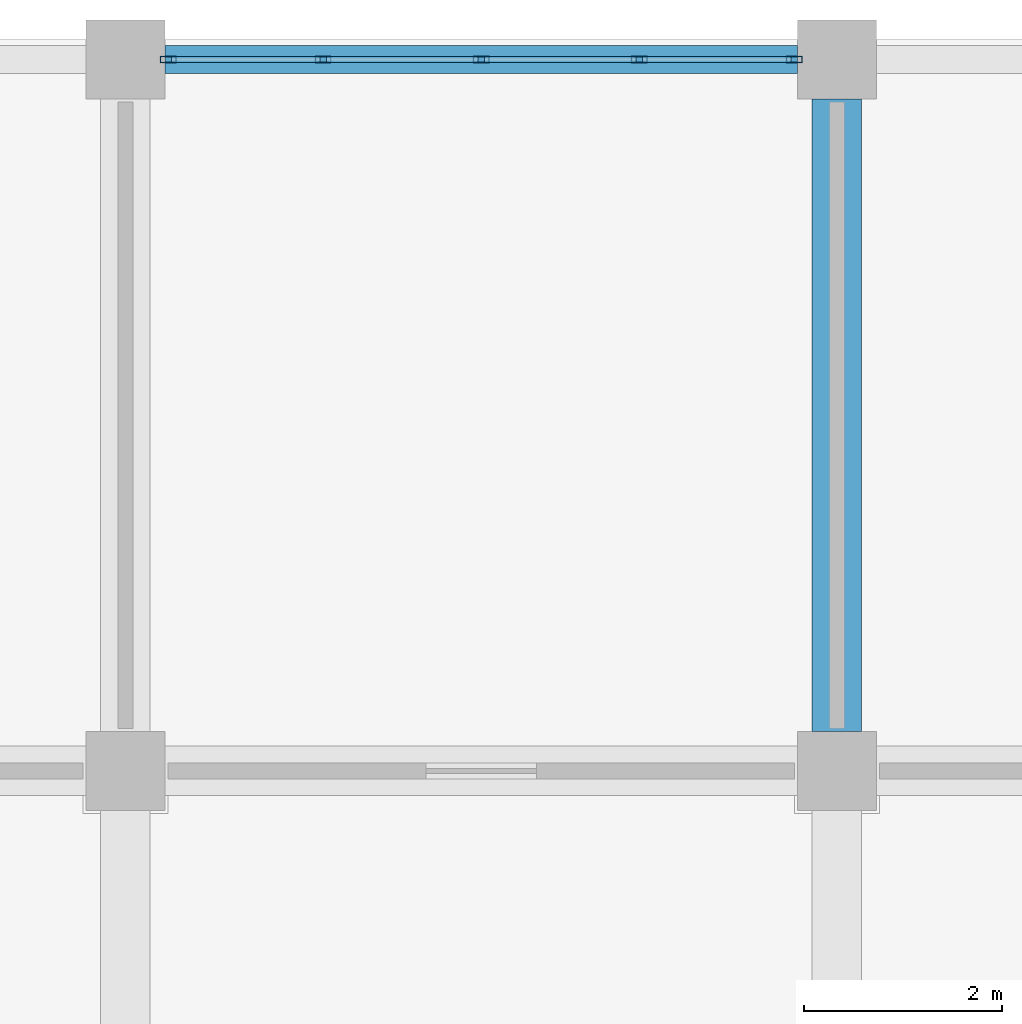
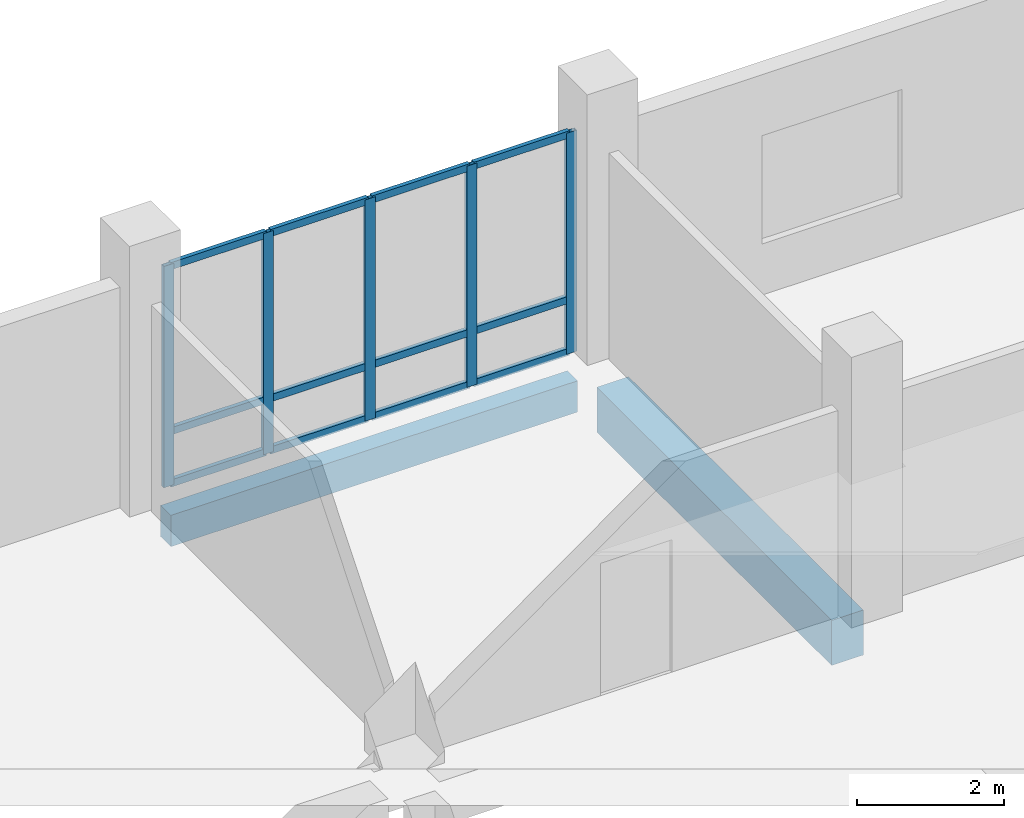
# One storey, part 50 of 139: 17 members, 2 beams, 1 element without a shape of its own.
"""IFC4 building model written with IfcOpenShell, lengths in metres."""

from ifc_helpers import new_model, si_unit, direction, frame, origin, origin_2d, place, context, subcontext, project, spatial, rectangle, hollow_rectangle, extrude, material, material_profile, profile_set, type_object, element, aggregate, save


model = new_model("IFC4")

# Units and contexts
model_context = context("Model", 3, precision=1e-05, world=origin(), true_north=direction((0.0, 1.0)))
body_context = subcontext(model_context, "Body", "Model", "MODEL_VIEW")
ifc_project = project(units=[si_unit("LENGTHUNIT", "METRE"), si_unit("AREAUNIT", "SQUARE_METRE"), si_unit("VOLUMEUNIT", "CUBIC_METRE"), si_unit("PLANEANGLEUNIT", "RADIAN"), si_unit("MASSUNIT", "GRAM", prefix="KILO")], contexts=[model_context])

# Site, building, storey
site_placement = place(None, origin())
site = spatial("IfcSite", under=ifc_project, at=site_placement, CompositionType="ELEMENT")
building_placement = place(site_placement, origin())
building = spatial("IfcBuilding", under=site, at=building_placement, Name="Suanplinth Sawtooth Commons", CompositionType="ELEMENT")
storey_placement = place(building_placement, origin())
storey = spatial("IfcBuildingStorey", under=building, at=storey_placement, Name="L00", CompositionType="ELEMENT", Elevation=0.0)

# Beams
ifc_material_1 = material(Name="Concrete C40/50", Category="concrete")
ifc_material_profile_1 = material_profile(ifc_material_1, rectangle(XDim=0.5, YDim=0.75, at=origin_2d()), Name="RC-GDR 500x750")
ifc_profile_set_1 = profile_set([ifc_material_profile_1], Name="Concrete C40/50")
beam_type_1 = type_object("IfcBeamType", Name="B-03", PredefinedType="USERDEFINED", material=ifc_profile_set_1)
beam_1_placement = place(storey_placement, frame((21.60009765625, 115.60009765625, -0.784912109375), z_axis=(0.0, 1.0, 0.0), x_axis=(-1.0, 0.0, 0.0)))
element("IfcBeam", 1, at=beam_1_placement, inside=storey, type_object=beam_type_1, Name="BMY-L00-A-3-16", ObjectType="GIRDER", PredefinedType="USERDEFINED", context=body_context, shape_type="SweptSolid", body=[
    extrude(rectangle(XDim=0.5, YDim=0.75, at=origin_2d()), origin(), (0.0, 0.0, 1.0), 6.39990234375),
])
ifc_material_2 = material(Name="Precast concrete C40/50", Category="concrete")
ifc_material_profile_2 = material_profile(ifc_material_2, rectangle(XDim=0.280029296875, YDim=0.52001953125, at=origin_2d()), Name="PC-SP 280x520")
ifc_profile_set_2 = profile_set([ifc_material_profile_2], Name="Precast concrete C40/50")
beam_type_2 = type_object("IfcBeamType", Name="B-08", PredefinedType="SPANDREL", material=ifc_profile_set_2)
beam_2_placement = place(storey_placement, frame((14.800048828125, 122.39990234375, -0.669921875), z_axis=(1.0, 0.0, 0.0), x_axis=(0.0, 1.0, 0.0)))
element("IfcBeam", 2, at=beam_2_placement, inside=storey, type_object=beam_type_2, Name="BMX-L00-A-2-17", PredefinedType="SPANDREL", context=body_context, shape_type="SweptSolid", body=[
    extrude(rectangle(XDim=0.280029296875, YDim=0.52001953125, at=origin_2d()), origin(), (0.0, 0.0, 1.0), 6.39990234375),
])

# Curtain wall, members
ifc_material_3 = material(Name="Anodized aluminium and low-E glazing", Category="aluminium")
curtain_wall_type = type_object("IfcCurtainWallType", Name="CW-04", PredefinedType="USERDEFINED", material=ifc_material_3)
curtain_wall_placement = place(storey_placement, origin())
curtain_wall = element("IfcCurtainWall", 3, at=curtain_wall_placement, inside=storey, type_object=curtain_wall_type, Name="Curtain Wall CW-L00-A-N-2", ObjectType="CURTAIN WALL", PredefinedType="USERDEFINED")
ifc_material_4 = material(Name="Anodized aluminium 6063-T6", Category="aluminium")
ifc_material_profile_3 = material_profile(ifc_material_4, hollow_rectangle(XDim=0.06494140625, YDim=0.159912109375, WallThickness=0.00390625, at=origin_2d()), Name="ALU-MUL 65x160")
ifc_profile_set_3 = profile_set([ifc_material_profile_3], Name="Anodized aluminium 6063-T6")
member_type_1 = type_object("IfcMemberType", Name="M-13", PredefinedType="MULLION", material=ifc_profile_set_3)
member_1_placement = place(storey_placement, frame((14.83251953125, 122.39990234375, 0.0), z_axis=(0.0, 0.0, 1.0), x_axis=(0.0, 1.0, 0.0)))
member_1 = element("IfcMember", 4, at=member_1_placement, type_object=member_type_1, Name="CW-04 mullion 1", PredefinedType="MULLION", context=body_context, shape_type="SweptSolid", body=[
    extrude(hollow_rectangle(XDim=0.06494140625, YDim=0.159912109375, WallThickness=0.00390625, at=origin_2d()), origin(), (0.0, 0.0, 1.0), 3.679931640625),
])
member_2_placement = place(storey_placement, frame((16.39990234375, 122.39990234375, 0.0), z_axis=(0.0, 0.0, 1.0), x_axis=(0.0, 1.0, 0.0)))
member_2 = element("IfcMember", 5, at=member_2_placement, type_object=member_type_1, Name="CW-04 mullion 2", PredefinedType="MULLION", context=body_context, shape_type="SweptSolid", body=[
    extrude(hollow_rectangle(XDim=0.06494140625, YDim=0.159912109375, WallThickness=0.00390625, at=origin_2d()), origin(), (0.0, 0.0, 1.0), 3.679931640625),
])
member_3_placement = place(storey_placement, frame((18.0, 122.39990234375, 0.0), z_axis=(0.0, 0.0, 1.0), x_axis=(0.0, 1.0, 0.0)))
member_3 = element("IfcMember", 6, at=member_3_placement, type_object=member_type_1, Name="CW-04 mullion 3", PredefinedType="MULLION", context=body_context, shape_type="SweptSolid", body=[
    extrude(hollow_rectangle(XDim=0.06494140625, YDim=0.159912109375, WallThickness=0.00390625, at=origin_2d()), origin(), (0.0, 0.0, 1.0), 3.679931640625),
])
member_4_placement = place(storey_placement, frame((19.60009765625, 122.39990234375, 0.0), z_axis=(0.0, 0.0, 1.0), x_axis=(0.0, 1.0, 0.0)))
member_4 = element("IfcMember", 7, at=member_4_placement, type_object=member_type_1, Name="CW-04 mullion 4", PredefinedType="MULLION", context=body_context, shape_type="SweptSolid", body=[
    extrude(hollow_rectangle(XDim=0.06494140625, YDim=0.159912109375, WallThickness=0.00390625, at=origin_2d()), origin(), (0.0, 0.0, 1.0), 3.679931640625),
])
member_5_placement = place(storey_placement, frame((21.16748046875, 122.39990234375, 0.0), z_axis=(0.0, 0.0, 1.0), x_axis=(0.0, 1.0, 0.0)))
member_5 = element("IfcMember", 8, at=member_5_placement, type_object=member_type_1, Name="CW-04 mullion 5", PredefinedType="MULLION", context=body_context, shape_type="SweptSolid", body=[
    extrude(hollow_rectangle(XDim=0.06494140625, YDim=0.159912109375, WallThickness=0.00390625, at=origin_2d()), origin(), (0.0, 0.0, 1.0), 3.679931640625),
])
ifc_material_profile_4 = material_profile(ifc_material_4, hollow_rectangle(XDim=0.06494140625, YDim=0.1201171875, WallThickness=0.00390625, at=origin_2d()), Name="ALU-TRN 65x120")
ifc_profile_set_4 = profile_set([ifc_material_profile_4], Name="Anodized aluminium 6063-T6")
member_type_2 = type_object("IfcMemberType", Name="M-15", PredefinedType="USERDEFINED", material=ifc_profile_set_4)
member_6_placement = place(storey_placement, frame((14.864990234375, 122.39990234375, 0.032470703125), z_axis=(1.0, 0.0, 0.0), x_axis=(0.0, 1.0, 0.0)))
member_6 = element("IfcMember", 9, at=member_6_placement, type_object=member_type_2, Name="CW-04 transom 1.1", ObjectType="TRANSOM", PredefinedType="USERDEFINED", context=body_context, shape_type="SweptSolid", body=[
    extrude(hollow_rectangle(XDim=0.06494140625, YDim=0.1201171875, WallThickness=0.00390625, at=origin_2d()), origin(), (0.0, 0.0, 1.0), 1.50244140625),
])
member_7_placement = place(storey_placement, frame((14.864990234375, 122.39990234375, 0.89990234375), z_axis=(1.0, 0.0, 0.0), x_axis=(0.0, 1.0, 0.0)))
member_7 = element("IfcMember", 10, at=member_7_placement, type_object=member_type_2, Name="CW-04 transom 1.2", ObjectType="TRANSOM", PredefinedType="USERDEFINED", context=body_context, shape_type="SweptSolid", body=[
    extrude(hollow_rectangle(XDim=0.06494140625, YDim=0.1201171875, WallThickness=0.00390625, at=origin_2d()), origin(), (0.0, 0.0, 1.0), 1.50244140625),
])
member_8_placement = place(storey_placement, frame((14.864990234375, 122.39990234375, 3.6474609375), z_axis=(1.0, 0.0, 0.0), x_axis=(0.0, 1.0, 0.0)))
member_8 = element("IfcMember", 11, at=member_8_placement, type_object=member_type_2, Name="CW-04 transom 1.3", ObjectType="TRANSOM", PredefinedType="USERDEFINED", context=body_context, shape_type="SweptSolid", body=[
    extrude(hollow_rectangle(XDim=0.06494140625, YDim=0.1201171875, WallThickness=0.00390625, at=origin_2d()), origin(), (0.0, 0.0, 1.0), 1.50244140625),
])
member_9_placement = place(storey_placement, frame((16.4326171875, 122.39990234375, 0.032470703125), z_axis=(1.0, 0.0, 0.0), x_axis=(0.0, 1.0, 0.0)))
member_9 = element("IfcMember", 12, at=member_9_placement, type_object=member_type_2, Name="CW-04 transom 2.1", ObjectType="TRANSOM", PredefinedType="USERDEFINED", context=body_context, shape_type="SweptSolid", body=[
    extrude(hollow_rectangle(XDim=0.06494140625, YDim=0.1201171875, WallThickness=0.00390625, at=origin_2d()), origin(), (0.0, 0.0, 1.0), 1.534912109375),
])
member_10_placement = place(storey_placement, frame((16.4326171875, 122.39990234375, 0.89990234375), z_axis=(1.0, 0.0, 0.0), x_axis=(0.0, 1.0, 0.0)))
member_10 = element("IfcMember", 13, at=member_10_placement, type_object=member_type_2, Name="CW-04 transom 2.2", ObjectType="TRANSOM", PredefinedType="USERDEFINED", context=body_context, shape_type="SweptSolid", body=[
    extrude(hollow_rectangle(XDim=0.06494140625, YDim=0.1201171875, WallThickness=0.00390625, at=origin_2d()), origin(), (0.0, 0.0, 1.0), 1.534912109375),
])
member_11_placement = place(storey_placement, frame((16.4326171875, 122.39990234375, 3.6474609375), z_axis=(1.0, 0.0, 0.0), x_axis=(0.0, 1.0, 0.0)))
member_11 = element("IfcMember", 14, at=member_11_placement, type_object=member_type_2, Name="CW-04 transom 2.3", ObjectType="TRANSOM", PredefinedType="USERDEFINED", context=body_context, shape_type="SweptSolid", body=[
    extrude(hollow_rectangle(XDim=0.06494140625, YDim=0.1201171875, WallThickness=0.00390625, at=origin_2d()), origin(), (0.0, 0.0, 1.0), 1.534912109375),
])
member_12_placement = place(storey_placement, frame((18.032470703125, 122.39990234375, 0.032470703125), z_axis=(1.0, 0.0, 0.0), x_axis=(0.0, 1.0, 0.0)))
member_12 = element("IfcMember", 15, at=member_12_placement, type_object=member_type_2, Name="CW-04 transom 3.1", ObjectType="TRANSOM", PredefinedType="USERDEFINED", context=body_context, shape_type="SweptSolid", body=[
    extrude(hollow_rectangle(XDim=0.06494140625, YDim=0.1201171875, WallThickness=0.00390625, at=origin_2d()), origin(), (0.0, 0.0, 1.0), 1.534912109375),
])
member_13_placement = place(storey_placement, frame((18.032470703125, 122.39990234375, 0.89990234375), z_axis=(1.0, 0.0, 0.0), x_axis=(0.0, 1.0, 0.0)))
member_13 = element("IfcMember", 16, at=member_13_placement, type_object=member_type_2, Name="CW-04 transom 3.2", ObjectType="TRANSOM", PredefinedType="USERDEFINED", context=body_context, shape_type="SweptSolid", body=[
    extrude(hollow_rectangle(XDim=0.06494140625, YDim=0.1201171875, WallThickness=0.00390625, at=origin_2d()), origin(), (0.0, 0.0, 1.0), 1.534912109375),
])
member_14_placement = place(storey_placement, frame((18.032470703125, 122.39990234375, 3.6474609375), z_axis=(1.0, 0.0, 0.0), x_axis=(0.0, 1.0, 0.0)))
member_14 = element("IfcMember", 17, at=member_14_placement, type_object=member_type_2, Name="CW-04 transom 3.3", ObjectType="TRANSOM", PredefinedType="USERDEFINED", context=body_context, shape_type="SweptSolid", body=[
    extrude(hollow_rectangle(XDim=0.06494140625, YDim=0.1201171875, WallThickness=0.00390625, at=origin_2d()), origin(), (0.0, 0.0, 1.0), 1.534912109375),
])
member_15_placement = place(storey_placement, frame((19.632568359375, 122.39990234375, 0.032470703125), z_axis=(1.0, 0.0, 0.0), x_axis=(0.0, 1.0, 0.0)))
member_15 = element("IfcMember", 18, at=member_15_placement, type_object=member_type_2, Name="CW-04 transom 4.1", ObjectType="TRANSOM", PredefinedType="USERDEFINED", context=body_context, shape_type="SweptSolid", body=[
    extrude(hollow_rectangle(XDim=0.06494140625, YDim=0.1201171875, WallThickness=0.00390625, at=origin_2d()), origin(), (0.0, 0.0, 1.0), 1.50244140625),
])
member_16_placement = place(storey_placement, frame((19.632568359375, 122.39990234375, 0.89990234375), z_axis=(1.0, 0.0, 0.0), x_axis=(0.0, 1.0, 0.0)))
member_16 = element("IfcMember", 19, at=member_16_placement, type_object=member_type_2, Name="CW-04 transom 4.2", ObjectType="TRANSOM", PredefinedType="USERDEFINED", context=body_context, shape_type="SweptSolid", body=[
    extrude(hollow_rectangle(XDim=0.06494140625, YDim=0.1201171875, WallThickness=0.00390625, at=origin_2d()), origin(), (0.0, 0.0, 1.0), 1.50244140625),
])
member_17_placement = place(storey_placement, frame((19.632568359375, 122.39990234375, 3.6474609375), z_axis=(1.0, 0.0, 0.0), x_axis=(0.0, 1.0, 0.0)))
member_17 = element("IfcMember", 20, at=member_17_placement, type_object=member_type_2, Name="CW-04 transom 4.3", ObjectType="TRANSOM", PredefinedType="USERDEFINED", context=body_context, shape_type="SweptSolid", body=[
    extrude(hollow_rectangle(XDim=0.06494140625, YDim=0.1201171875, WallThickness=0.00390625, at=origin_2d()), origin(), (0.0, 0.0, 1.0), 1.50244140625),
])
aggregate(curtain_wall, [member_1, member_2, member_3, member_4, member_5, member_6, member_7, member_8, member_9, member_10, member_11, member_12, member_13, member_14, member_15, member_16, member_17])

save(model, "model.ifc")
